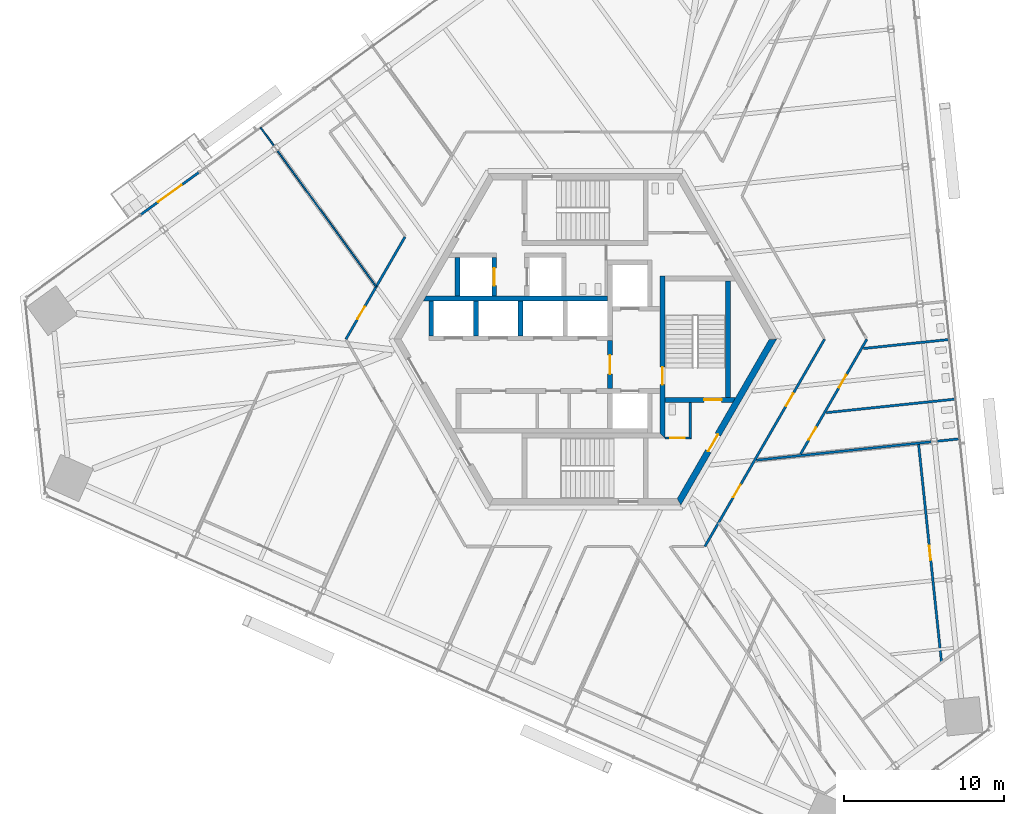
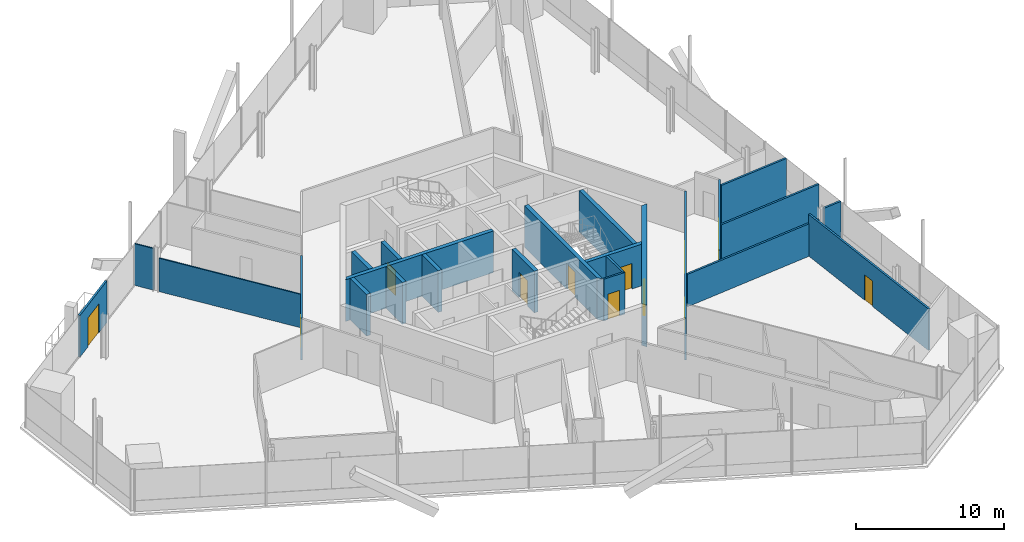
# One storey, part 12 of 21: 24 walls, 13 doors, 13 openings.
"""IFC4 building model written with IfcOpenShell, lengths in metres."""

from ifc_helpers import new_model, si_unit, direction, frame, frame_2d, origin, place, context, subcontext, project, spatial, polyline, rectangle, outline, extrude, source, transform, mapped, material, layer, layer_set, type_object, element, fill, save


model = new_model("IFC4")

# Units and contexts
model_context = context("Model", 3, precision=1e-05, world=origin(), true_north=direction((0.0, 1.0)))
body_context = subcontext(model_context, "Body", "Model", "MODEL_VIEW")
ifc_project = project(units=[si_unit("LENGTHUNIT", "METRE"), si_unit("AREAUNIT", "SQUARE_METRE"), si_unit("VOLUMEUNIT", "CUBIC_METRE"), si_unit("PLANEANGLEUNIT", "RADIAN"), si_unit("MASSUNIT", "GRAM", prefix="KILO")], contexts=[model_context])

# Site, building, storey
site_placement = place(None, origin())
site = spatial("IfcSite", under=ifc_project, at=site_placement, CompositionType="ELEMENT")
building_placement = place(site_placement, origin())
building = spatial("IfcBuilding", under=site, at=building_placement, Name="Triune Harvest Tower", CompositionType="ELEMENT")
storey_placement = place(building_placement, frame((0.0, 0.0, 80.10009765625)))
storey = spatial("IfcBuildingStorey", under=building, at=storey_placement, Name="L19", CompositionType="ELEMENT", Elevation=80.10009765625)

# Walls
ifc_material_1 = material(Name="Gypsum board on steel studs", Category="steel")
ifc_layer_1 = layer(ifc_material_1, 0.14990234375)
ifc_layer_set_1 = layer_set([ifc_layer_1], Name="Gypsum board on steel studs")
wall_type_1 = type_object("IfcWallType", Name="Fire Partition 150 mm", PredefinedType="PARTITIONING", material=ifc_layer_set_1)
wall_1_placement = place(storey_placement, frame((10.737060546875, -7.581298828125, 0.0), z_axis=(0.0, 0.0, 1.0), x_axis=(0.994522192744, 0.104525633891, 0.0)))
element("IfcWall", 1, at=wall_1_placement, inside=storey, type_object=wall_type_1, Name="Partition L19 031", PredefinedType="PARTITIONING", context=body_context, shape_type="SweptSolid", body=[
    extrude(rectangle(XDim=11.019775390625, YDim=0.14990234375, at=frame_2d((5.509765625, 0.0))), origin(), (0.0, 0.0, 1.0), 2.682861328125),
])
wall_2_placement = place(storey_placement, frame((15.112548828125, -4.602783203125, 0.0), z_axis=(0.0, 0.0, 1.0), x_axis=(0.994522020548, 0.104527272252, 0.0)))
element("IfcWall", 2, at=wall_2_placement, inside=storey, type_object=wall_type_1, Name="Partition L19 033", PredefinedType="PARTITIONING", context=body_context, shape_type="SweptSolid", body=[
    extrude(rectangle(XDim=8.149169921875, YDim=0.14990234375, at=frame_2d((4.07470703125, 0.0))), origin(), (0.0, 0.0, 1.0), 3.43994140625),
])
wall_3_placement = place(storey_placement, frame((17.434814453125, -0.580810546875, 0.0), z_axis=(0.0, 0.0, 1.0), x_axis=(0.994522719588, 0.104520621039, 0.0)))
element("IfcWall", 3, at=wall_3_placement, inside=storey, type_object=wall_type_1, Name="Partition L19 034", PredefinedType="PARTITIONING", context=body_context, shape_type="SweptSolid", body=[
    extrude(rectangle(XDim=5.419189453125, YDim=0.14990234375, at=frame_2d((2.70947265625, 0.0))), origin(), (0.0, 0.0, 1.0), 3.43994140625),
])

# Wall, openings, doors
wall_4_placement = place(storey_placement, frame((13.505126953125, -7.192626953125, 0.0), z_axis=(0.0, 0.0, 1.0), x_axis=(0.500037119149, 0.866003971973, 0.0)))
wall_4 = element("IfcWall", 4, at=wall_4_placement, inside=storey, type_object=wall_type_1, Name="Partition L19 042", PredefinedType="PARTITIONING", context=body_context, shape_type="SweptSolid", body=[
    extrude(rectangle(XDim=8.305419921875, YDim=0.14990234375, at=frame_2d((4.15283203125, 0.0))), origin(), (0.0, 0.0, 1.0), 3.43994140625),
])
opening_1_placement = place(wall_4_placement, frame((1.02978515625, 0.0, 0.0)))
opening_1 = element("IfcOpeningElement", 5, at=opening_1_placement, cuts=wall_4, Name="Opening L19-005", PredefinedType="OPENING", context=body_context, shape_type="SweptSolid", body=[
    extrude(rectangle(XDim=0.89990234375, YDim=2.10009765625, at=frame_2d((0.449951171875, 1.050048828125))), frame((0.0, 0.0849609375, 0.0), z_axis=(0.0, -1.0, 0.0), x_axis=(1.0, 0.0, 0.0)), (0.0, 0.0, 1.0), 0.169921875),
])
opening_2_placement = place(wall_4_placement, frame((4.825927734375, 0.0, 0.0)))
opening_2 = element("IfcOpeningElement", 6, at=opening_2_placement, cuts=wall_4, Name="Opening L19-006", PredefinedType="OPENING", context=body_context, shape_type="SweptSolid", body=[
    extrude(rectangle(XDim=0.89990234375, YDim=2.10009765625, at=frame_2d((0.449951171875, 1.050048828125))), frame((0.0, 0.0849609375, 0.0), z_axis=(0.0, -1.0, 0.0), x_axis=(1.0, 0.0, 0.0)), (0.0, 0.0, 1.0), 0.169921875),
])
ifc_material_2 = material(Name="Timber and steel door set", Category="steel")
door_type_1 = type_object("IfcDoorType", Name="Single leaf door FD30 left hand 900 x 2100", OperationType="SINGLE_SWING_LEFT", PredefinedType="DOOR", material=ifc_material_2)
door_1_placement = place(opening_2_placement, origin())
door_1 = element("IfcDoor", 7, at=door_1_placement, inside=storey, type_object=door_type_1, Name="Door L19-006 Men's WC 19.06", OperationType="SINGLE_SWING_LEFT", OverallHeight=2.10009765625, OverallWidth=0.89990234375, PredefinedType="DOOR", context=body_context, shape_type="SweptSolid", body=[
    extrude(rectangle(XDim=0.89990234375, YDim=2.10009765625, at=frame_2d((0.449951171875, 1.050048828125))), frame((0.0, 0.02490234375, 0.0), z_axis=(0.0, -1.0, 0.0), x_axis=(1.0, 0.0, 0.0)), (0.0, 0.0, 1.0), 0.050048828125),
])
fill(opening_2, door_1)
ifc_material_3 = material(Name="Timber and steel door set", Category="steel")
door_type_2 = type_object("IfcDoorType", Name="Single leaf door FD30 right hand 900 x 2100", OperationType="SINGLE_SWING_RIGHT", PredefinedType="DOOR", material=ifc_material_3)
door_2_placement = place(opening_1_placement, origin())
door_2 = element("IfcDoor", 8, at=door_2_placement, inside=storey, type_object=door_type_2, Name="Door L19-005 Women's WC 19.05", OperationType="SINGLE_SWING_RIGHT", OverallHeight=2.10009765625, OverallWidth=0.89990234375, PredefinedType="DOOR", context=body_context, shape_type="SweptSolid", body=[
    extrude(rectangle(XDim=0.89990234375, YDim=2.10009765625, at=frame_2d((0.449951171875, 1.050048828125))), frame((0.0, 0.02490234375, 0.0), z_axis=(0.0, -1.0, 0.0), x_axis=(1.0, 0.0, 0.0)), (0.0, 0.0, 1.0), 0.050048828125),
])
fill(opening_1, door_2)

# Wall
ifc_material_4 = material(Name="Gypsum board on steel studs", Category="steel")
ifc_layer_2 = layer(ifc_material_4, 0.10009765625)
ifc_layer_set_2 = layer_set([ifc_layer_2], Name="Gypsum board on steel studs")
wall_type_2 = type_object("IfcWallType", Name="Partition 100 mm", PredefinedType="PARTITIONING", material=ifc_layer_set_2)
wall_5_placement = place(storey_placement, frame((-19.2958984375, 11.821533203125, 0.0), z_axis=(0.0, 0.0, 1.0), x_axis=(0.587790142601, -0.809013441335, 0.0)))
element("IfcWall", 9, at=wall_5_placement, inside=storey, type_object=wall_type_2, Name="Partition L19 010", PredefinedType="PARTITIONING", context=body_context, shape_type="SweptSolid", body=[
    extrude(rectangle(XDim=10.54052734375, YDim=0.10009765625, at=frame_2d((5.270263671875, 0.0))), origin(), (0.0, 0.0, 1.0), 2.756591796875),
])

# Wall, opening, door
ifc_material_5 = material(Name="Concrete 70 MPa", Category="concrete")
ifc_layer_3 = layer(ifc_material_5, 0.39990234375)
ifc_layer_set_3 = layer_set([ifc_layer_3], Name="Concrete 70 MPa")
wall_type_3 = type_object("IfcWallType", Name="Core wall 400", PredefinedType="SHEAR", material=ifc_layer_set_3)
shared_shape_1 = source(origin(), body_context, "Body", "SweptSolid", [
    extrude(outline(polyline([(-0.115478515625, -0.199951171875), (11.884521484375, -0.199951171875), (11.653564453125, 0.199951171875), (0.115478515625, 0.199951171875), (-0.115478515625, -0.199951171875)])), origin(), (0.0, 0.0, 1.0), 3.43994140625),
])
wall_6_placement = place(storey_placement, frame((5.884521484375, -10.1923828125, 0.0), z_axis=(0.0, 0.0, 1.0), x_axis=(0.499996592174, 0.866027371285, 0.0)))
wall_6 = element("IfcWall", 10, at=wall_6_placement, inside=storey, type_object=wall_type_3, Name="Hexagon 5 wall", PredefinedType="SHEAR", context=body_context, shape_type="MappedRepresentation", body=[
    mapped(shared_shape_1, transform((0.0, 0.0, 0.0), scale=1.0)),
])
opening_3_placement = place(wall_6_placement, frame((3.66455078125, 0.0, 0.0)))
opening_3 = element("IfcOpeningElement", 11, at=opening_3_placement, cuts=wall_6, Name="Opening CD-DP", PredefinedType="OPENING", context=body_context, shape_type="SweptSolid", body=[
    extrude(rectangle(XDim=1.199951171875, YDim=2.10009765625, at=frame_2d((0.60009765625, 1.050048828125))), frame((0.0, 0.2099609375, 0.0), z_axis=(0.0, -1.0, 0.0), x_axis=(1.0, 0.0, 0.0)), (0.0, 0.0, 1.0), 0.419921875),
])
ifc_material_6 = material(Name="Steel S235", Category="steel")
door_type_3 = type_object("IfcDoorType", Name="Stair door 1200 FD120", OperationType="SINGLE_SWING_LEFT", PredefinedType="DOOR", material=ifc_material_6)
door_3_placement = place(opening_3_placement, frame((1.199951171875, 0.0, 0.0), z_axis=(0.0, 0.0, 1.0), x_axis=(-1.0, 0.0, 0.0)))
door_3 = element("IfcDoor", 12, at=door_3_placement, inside=storey, type_object=door_type_3, Name="Door CD-DP", OperationType="SINGLE_SWING_RIGHT", OverallHeight=2.10009765625, OverallWidth=1.199951171875, PredefinedType="DOOR", context=body_context, shape_type="SweptSolid", body=[
    extrude(rectangle(XDim=1.199951171875, YDim=2.10009765625, at=frame_2d((0.60009765625, 1.050048828125))), frame((0.0, 0.02490234375, 0.0), z_axis=(0.0, -1.0, 0.0), x_axis=(1.0, 0.0, 0.0)), (0.0, 0.0, 1.0), 0.050048828125),
])
fill(opening_3, door_3)

# Wall
ifc_material_7 = material(Name="Concrete 70 MPa", Category="concrete")
ifc_layer_4 = layer(ifc_material_7, 0.300048828125)
ifc_layer_set_4 = layer_set([ifc_layer_4], Name="Concrete 70 MPa")
wall_type_4 = type_object("IfcWallType", Name="Core wall 300", PredefinedType="SHEAR", material=ifc_layer_set_4)
shared_shape_2 = source(origin(), body_context, "Body", "SweptSolid", [
    extrude(outline(polyline([(11.199951171875, -0.14990234375), (-0.34912109375, -0.14990234375), (-0.17578125, 0.14990234375), (11.199951171875, 0.14990234375), (11.199951171875, -0.14990234375)])), origin(), (0.0, 0.0, 1.0), 3.43994140625),
])
wall_7_placement = place(storey_placement, frame((-9.800048828125, 2.56005859375, 0.0), z_axis=(0.0, 0.0, 1.0), x_axis=(1.0, 0.0, 0.0)))
element("IfcWall", 13, at=wall_7_placement, inside=storey, type_object=wall_type_4, Name="North back wall", PredefinedType="SHEAR", context=body_context, shape_type="MappedRepresentation", body=[
    mapped(shared_shape_2, transform((0.0, 0.0, 0.0), scale=1.0)),
])

# Wall, opening, door
shared_shape_3 = source(origin(), body_context, "Body", "SweptSolid", [
    extrude(rectangle(XDim=3.0, YDim=0.300048828125, at=frame_2d((1.5, 0.0))), origin(), (0.0, 0.0, 1.0), 3.43994140625),
])
wall_8_placement = place(storey_placement, frame((1.550048828125, -3.090087890625, 0.0), z_axis=(0.0, 0.0, 1.0), x_axis=(0.0, 1.0, 0.0)))
wall_8 = element("IfcWall", 14, at=wall_8_placement, inside=storey, type_object=wall_type_4, Name="Ff lobby west wall", PredefinedType="SHEAR", context=body_context, shape_type="MappedRepresentation", body=[
    mapped(shared_shape_3, transform((0.0, 0.0, 0.0), scale=1.0)),
])
opening_4_placement = place(wall_8_placement, frame((0.89990234375, 0.0, 0.0)))
opening_4 = element("IfcOpeningElement", 15, at=opening_4_placement, cuts=wall_8, Name="Opening CD-FL", PredefinedType="OPENING", context=body_context, shape_type="SweptSolid", body=[
    extrude(rectangle(XDim=1.199951171875, YDim=2.10009765625, at=frame_2d((0.60009765625, 1.050048828125))), frame((0.0, 0.16015625, 0.0), z_axis=(0.0, -1.0, 0.0), x_axis=(1.0, 0.0, 0.0)), (0.0, 0.0, 1.0), 0.320068359375),
])
ifc_material_8 = material(Name="Steel S235", Category="steel")
door_type_4 = type_object("IfcDoorType", Name="Firefighters' lobby door 1200 FD120", OperationType="SINGLE_SWING_LEFT", PredefinedType="DOOR", material=ifc_material_8)
door_4_placement = place(opening_4_placement, frame((1.199951171875, 0.0, 0.0), z_axis=(0.0, 0.0, 1.0), x_axis=(-1.0, 0.0, 0.0)))
door_4 = element("IfcDoor", 16, at=door_4_placement, inside=storey, type_object=door_type_4, Name="Door CD-FL", OperationType="SINGLE_SWING_RIGHT", OverallHeight=2.10009765625, OverallWidth=1.199951171875, PredefinedType="DOOR", context=body_context, shape_type="SweptSolid", body=[
    extrude(rectangle(XDim=1.199951171875, YDim=2.10009765625, at=frame_2d((0.60009765625, 1.050048828125))), frame((0.0, 0.02490234375, 0.0), z_axis=(0.0, -1.0, 0.0), x_axis=(1.0, 0.0, 0.0)), (0.0, 0.0, 1.0), 0.050048828125),
])
fill(opening_4, door_4)

# Walls
shared_shape_4 = source(origin(), body_context, "Body", "SweptSolid", [
    extrude(rectangle(XDim=2.199951171875, YDim=0.300048828125, at=frame_2d((1.10009765625, 0.0))), origin(), (0.0, 0.0, 1.0), 3.43994140625),
])
for number, where, z_axis, x_axis, name in (
    (17, (-9.64990234375, 0.2099609375, 0.0), (0.0, 0.0, 1.0), (0.0, 1.0, 0.0), "North end west wall"),
    (18, (-6.85009765625, 0.2099609375, 0.0), (0.0, 0.0, 1.0), (0.0, 1.0, 0.0), "North cross 1 wall"),
    (19, (-4.050048828125, 0.2099609375, 0.0), (0.0, 0.0, 1.0), (0.0, 1.0, 0.0), "North cross 2 wall"),
):
    element("IfcWall", number, at=place(storey_placement, frame(where, z_axis=z_axis, x_axis=x_axis)), inside=storey, type_object=wall_type_4, Name=name, PredefinedType="SHEAR", context=body_context, shape_type="MappedRepresentation", body=[
        mapped(shared_shape_4, transform((0.0, 0.0, 0.0), scale=1.0)),
    ])

# Wall, opening, door
shared_shape_5 = source(origin(), body_context, "Body", "SweptSolid", [
    extrude(outline(polyline([(-0.14990234375, -0.14990234375), (9.989990234375, -0.14990234375), (9.989990234375, 0.14990234375), (0.14990234375, 0.14990234375), (-0.14990234375, -0.14990234375)])), origin(), (0.0, 0.0, 1.0), 3.43994140625),
])
wall_9_placement = place(storey_placement, frame((4.85009765625, -6.0400390625, 0.0), z_axis=(0.0, 0.0, 1.0), x_axis=(0.0, 1.0, 0.0)))
wall_9 = element("IfcWall", 20, at=wall_9_placement, inside=storey, type_object=wall_type_4, Name="Stair e west wall", PredefinedType="SHEAR", context=body_context, shape_type="MappedRepresentation", body=[
    mapped(shared_shape_5, transform((0.0, 0.0, 0.0), scale=1.0)),
])
opening_5_placement = place(wall_9_placement, frame((3.18994140625, 0.0, 0.0)))
opening_5 = element("IfcOpeningElement", 21, at=opening_5_placement, cuts=wall_9, Name="Opening CD-S3L", PredefinedType="OPENING", context=body_context, shape_type="SweptSolid", body=[
    extrude(rectangle(XDim=1.10009765625, YDim=2.10009765625, at=frame_2d((0.550048828125, 1.050048828125))), frame((0.0, 0.16015625, 0.0), z_axis=(0.0, -1.0, 0.0), x_axis=(1.0, 0.0, 0.0)), (0.0, 0.0, 1.0), 0.320068359375),
])
ifc_material_9 = material(Name="Steel S235", Category="steel")
door_type_5 = type_object("IfcDoorType", Name="Stair door 1100 FD120", OperationType="SINGLE_SWING_LEFT", PredefinedType="DOOR", material=ifc_material_9)
door_5_placement = place(opening_5_placement, frame((1.10009765625, 0.0, 0.0), z_axis=(0.0, 0.0, 1.0), x_axis=(-1.0, 0.0, 0.0)))
door_5 = element("IfcDoor", 22, at=door_5_placement, inside=storey, type_object=door_type_5, Name="Door CD-S3L", OperationType="SINGLE_SWING_RIGHT", OverallHeight=2.10009765625, OverallWidth=1.10009765625, PredefinedType="DOOR", context=body_context, shape_type="SweptSolid", body=[
    extrude(rectangle(XDim=1.10009765625, YDim=2.10009765625, at=frame_2d((0.550048828125, 1.050048828125))), frame((0.0, 0.02490234375, 0.0), z_axis=(0.0, -1.0, 0.0), x_axis=(1.0, 0.0, 0.0)), (0.0, 0.0, 1.0), 0.050048828125),
])
fill(opening_5, door_5)

shared_shape_6 = source(origin(), body_context, "Body", "SweptSolid", [
    extrude(outline(polyline([(0.0, -0.14990234375), (0.0, 0.14990234375), (4.43310546875, 0.14990234375), (4.260009765625, -0.14990234375), (0.0, -0.14990234375)])), origin(), (0.0, 0.0, 1.0), 3.43994140625),
])
wall_10_placement = place(storey_placement, frame((5.0, -3.800048828125, 0.0), z_axis=(0.0, 0.0, 1.0), x_axis=(1.0, 0.0, 0.0)))
wall_10 = element("IfcWall", 23, at=wall_10_placement, inside=storey, type_object=wall_type_4, Name="Stair e south wall", PredefinedType="SHEAR", context=body_context, shape_type="MappedRepresentation", body=[
    mapped(shared_shape_6, transform((0.0, 0.0, 0.0), scale=1.0)),
])
opening_6_placement = place(wall_10_placement, frame((2.449951171875, 0.0, 0.0)))
opening_6 = element("IfcOpeningElement", 24, at=opening_6_placement, cuts=wall_10, Name="Opening CD-S3D", PredefinedType="OPENING", context=body_context, shape_type="SweptSolid", body=[
    extrude(rectangle(XDim=1.10009765625, YDim=2.10009765625, at=frame_2d((0.550048828125, 1.050048828125))), frame((0.0, 0.16015625, 0.0), z_axis=(0.0, -1.0, 0.0), x_axis=(1.0, 0.0, 0.0)), (0.0, 0.0, 1.0), 0.320068359375),
])
door_6_placement = place(opening_6_placement, frame((1.10009765625, 0.0, 0.0), z_axis=(0.0, 0.0, 1.0), x_axis=(-1.0, 0.0, 0.0)))
door_6 = element("IfcDoor", 25, at=door_6_placement, inside=storey, type_object=door_type_5, Name="Door CD-S3D", OperationType="SINGLE_SWING_RIGHT", OverallHeight=2.10009765625, OverallWidth=1.10009765625, PredefinedType="DOOR", context=body_context, shape_type="SweptSolid", body=[
    extrude(rectangle(XDim=1.10009765625, YDim=2.10009765625, at=frame_2d((0.550048828125, 1.050048828125))), frame((0.0, 0.02490234375, 0.0), z_axis=(0.0, -1.0, 0.0), x_axis=(1.0, 0.0, 0.0)), (0.0, 0.0, 1.0), 0.050048828125),
])
fill(opening_6, door_6)

# Walls
shared_shape_7 = source(origin(), body_context, "Body", "SweptSolid", [
    extrude(rectangle(XDim=7.2998046875, YDim=0.300048828125, at=frame_2d((3.64990234375, 0.0))), origin(), (0.0, 0.0, 1.0), 3.43994140625),
])
wall_11_placement = place(storey_placement, frame((8.949951171875, -3.64990234375, 0.0), z_axis=(0.0, 0.0, 1.0), x_axis=(0.0, 1.0, 0.0)))
element("IfcWall", 26, at=wall_11_placement, inside=storey, type_object=wall_type_4, Name="Stair e east wall", PredefinedType="SHEAR", context=body_context, shape_type="MappedRepresentation", body=[
    mapped(shared_shape_7, transform((0.0, 0.0, 0.0), scale=1.0)),
])
shared_shape_8 = source(origin(), body_context, "Body", "SweptSolid", [
    extrude(rectangle(XDim=2.400146484375, YDim=0.300048828125, at=frame_2d((1.2001953125, 0.0))), origin(), (0.0, 0.0, 1.0), 3.43994140625),
])
wall_12_placement = place(storey_placement, frame((-8.0, 2.7099609375, 0.0), z_axis=(0.0, 0.0, 1.0), x_axis=(0.0, 1.0, 0.0)))
element("IfcWall", 27, at=wall_12_placement, inside=storey, type_object=wall_type_4, Name="Sv1 west wall", PredefinedType="SHEAR", context=body_context, shape_type="MappedRepresentation", body=[
    mapped(shared_shape_8, transform((0.0, 0.0, 0.0), scale=1.0)),
])

# Wall, opening, door
wall_13_placement = place(storey_placement, frame((-5.699951171875, 2.7099609375, 0.0), z_axis=(0.0, 0.0, 1.0), x_axis=(0.0, 1.0, 0.0)))
wall_13 = element("IfcWall", 28, at=wall_13_placement, inside=storey, type_object=wall_type_4, Name="Sv1 east wall", PredefinedType="SHEAR", context=body_context, shape_type="MappedRepresentation", body=[
    mapped(shared_shape_8, transform((0.0, 0.0, 0.0), scale=1.0)),
])
opening_7_placement = place(wall_13_placement, frame((0.64990234375, 0.0, 0.0)))
opening_7 = element("IfcOpeningElement", 29, at=opening_7_placement, cuts=wall_13, Name="Opening LD-SV1-19", PredefinedType="OPENING", context=body_context, shape_type="SweptSolid", body=[
    extrude(rectangle(XDim=1.10009765625, YDim=2.10009765625, at=frame_2d((0.550048828125, 1.050048828125))), frame((0.0, 0.16015625, 0.0), z_axis=(0.0, -1.0, 0.0), x_axis=(1.0, 0.0, 0.0)), (0.0, 0.0, 1.0), 0.320068359375),
])
ifc_material_10 = material(Name="Stainless steel AISI 304", Category="steel")
door_type_6 = type_object("IfcDoorType", Name="Landing door 1100 x 2100", OperationType="DOUBLE_DOOR_SLIDING", PredefinedType="DOOR", material=ifc_material_10)
door_7_placement = place(opening_7_placement, origin())
door_7 = element("IfcDoor", 30, at=door_7_placement, inside=storey, type_object=door_type_6, Name="Door LD-SV1-19", OperationType="DOUBLE_DOOR_SLIDING", OverallHeight=2.10009765625, OverallWidth=1.10009765625, PredefinedType="DOOR", context=body_context, shape_type="SweptSolid", body=[
    extrude(rectangle(XDim=1.10009765625, YDim=2.10009765625, at=frame_2d((0.550048828125, 1.050048828125))), frame((0.0, 0.02490234375, 0.0), z_axis=(0.0, -1.0, 0.0), x_axis=(1.0, 0.0, 0.0)), (0.0, 0.0, 1.0), 0.050048828125),
])
fill(opening_7, door_7)

ifc_material_11 = material(Name="Concrete masonry unit", Category="masonry")
ifc_layer_5 = layer(ifc_material_11, 0.14990234375)
ifc_layer_set_5 = layer_set([ifc_layer_5], Name="Concrete masonry unit")
wall_type_5 = type_object("IfcWallType", Name="Block partition 150 unrated", PredefinedType="PARTITIONING", material=ifc_layer_set_5)
shared_shape_9 = source(origin(), body_context, "Body", "SweptSolid", [
    extrude(outline(polyline([(0.0, -0.074951171875), (1.64990234375, -0.074951171875), (1.5, 0.074951171875), (0.0, 0.074951171875), (0.0, -0.074951171875)])), origin(), (0.0, 0.0, 1.0), 3.43994140625),
])
wall_14_placement = place(storey_placement, frame((5.0, -6.18994140625, 0.0), z_axis=(0.0, 0.0, 1.0), x_axis=(1.0, 0.0, 0.0)))
wall_14 = element("IfcWall", 31, at=wall_14_placement, inside=storey, type_object=wall_type_5, Name="Wc acc south wall", PredefinedType="PARTITIONING", context=body_context, shape_type="MappedRepresentation", body=[
    mapped(shared_shape_9, transform((0.0, 0.0, 0.0), scale=1.0)),
])
opening_8_placement = place(wall_14_placement, frame((0.33740234375, 0.0, 0.0)))
opening_8 = element("IfcOpeningElement", 32, at=opening_8_placement, cuts=wall_14, Name="Opening CD-WA", PredefinedType="OPENING", context=body_context, shape_type="SweptSolid", body=[
    extrude(rectangle(XDim=0.89990234375, YDim=2.10009765625, at=frame_2d((0.449951171875, 1.050048828125))), frame((0.0, 0.0849609375, 0.0), z_axis=(0.0, -1.0, 0.0), x_axis=(1.0, 0.0, 0.0)), (0.0, 0.0, 1.0), 0.169921875),
])
ifc_material_12 = material(Name="Timber C24", Category="wood")
door_type_7 = type_object("IfcDoorType", Name="WC door 900", OperationType="SINGLE_SWING_LEFT", PredefinedType="DOOR", material=ifc_material_12)
door_8_placement = place(opening_8_placement, origin())
door_8 = element("IfcDoor", 33, at=door_8_placement, inside=storey, type_object=door_type_7, Name="Door CD-WA", OperationType="SINGLE_SWING_LEFT", OverallHeight=2.10009765625, OverallWidth=0.89990234375, PredefinedType="DOOR", context=body_context, shape_type="SweptSolid", body=[
    extrude(rectangle(XDim=0.89990234375, YDim=2.10009765625, at=frame_2d((0.449951171875, 1.050048828125))), frame((0.0, 0.02490234375, 0.0), z_axis=(0.0, -1.0, 0.0), x_axis=(1.0, 0.0, 0.0)), (0.0, 0.0, 1.0), 0.050048828125),
])
fill(opening_8, door_8)

# Wall
shared_shape_10 = source(origin(), body_context, "Body", "SweptSolid", [
    extrude(outline(polyline([(-0.074951171875, -0.074951171875), (2.239990234375, -0.074951171875), (2.239990234375, 0.074951171875), (0.074951171875, 0.074951171875), (-0.074951171875, -0.074951171875)])), origin(), (0.0, 0.0, 1.0), 3.43994140625),
])
wall_15_placement = place(storey_placement, frame((6.574951171875, -6.18994140625, 0.0), z_axis=(0.0, 0.0, 1.0), x_axis=(0.0, 1.0, 0.0)))
element("IfcWall", 34, at=wall_15_placement, inside=storey, type_object=wall_type_5, Name="Wc acc east wall", PredefinedType="PARTITIONING", context=body_context, shape_type="MappedRepresentation", body=[
    mapped(shared_shape_10, transform((0.0, 0.0, 0.0), scale=1.0)),
])

# Wall, opening, door
ifc_material_13 = material(Name="Aluminium bronze anodised", Category="aluminium")
ifc_layer_6 = layer(ifc_material_13, 0.14990234375)
ifc_layer_set_6 = layer_set([ifc_layer_6], Name="Aluminium bronze anodised")
wall_type_6 = type_object("IfcWallType", Name="WW-2 balcony window wall", PredefinedType="ELEMENTEDWALL", material=ifc_layer_set_6)
shared_shape_11 = source(origin(), body_context, "Body", "SweptSolid", [
    extrude(rectangle(XDim=4.485595703125, YDim=0.14990234375, at=frame_2d((2.24267578125, 0.0))), origin(), (0.0, 0.0, 1.0), 3.43994140625),
])
wall_16_placement = place(storey_placement, frame((-27.85693359375, 7.816650390625, 0.0), z_axis=(0.0, 0.0, 1.0), x_axis=(0.8089996052, 0.587809185694, 0.0)))
wall_16 = element("IfcWall", 35, at=wall_16_placement, inside=storey, type_object=wall_type_6, Name="WW-2 B2-F3 L19.10", PredefinedType="ELEMENTEDWALL", context=body_context, shape_type="MappedRepresentation", body=[
    mapped(shared_shape_11, transform((0.0, 0.0, 0.0), scale=1.0)),
])
opening_9_placement = place(wall_16_placement, frame((1.3427734375, 0.0, 0.0)))
opening_9 = element("IfcOpeningElement", 36, at=opening_9_placement, cuts=wall_16, Name="Opening L19-E01", PredefinedType="OPENING", context=body_context, shape_type="SweptSolid", body=[
    extrude(rectangle(XDim=1.800048828125, YDim=2.39990234375, at=frame_2d((0.89990234375, 1.199951171875))), frame((0.0, 0.0849609375, 0.0), z_axis=(0.0, -1.0, 0.0), x_axis=(1.0, 0.0, 0.0)), (0.0, 0.0, 1.0), 0.169921875),
])
ifc_material_14 = material(Name="Glass", Category="glass")
door_type_8 = type_object("IfcDoorType", Name="DB-1 balcony door 1800 x 2400", OperationType="DOUBLE_DOOR_SINGLE_SWING", PredefinedType="DOOR", material=ifc_material_14)
door_9_placement = place(opening_9_placement, origin())
door_9 = element("IfcDoor", 37, at=door_9_placement, inside=storey, type_object=door_type_8, Name="Door L19-E01", OperationType="DOUBLE_DOOR_SINGLE_SWING", OverallHeight=2.39990234375, OverallWidth=1.800048828125, PredefinedType="DOOR", context=body_context, shape_type="SweptSolid", body=[
    extrude(rectangle(XDim=1.800048828125, YDim=2.39990234375, at=frame_2d((0.89990234375, 1.199951171875))), frame((0.0, 0.02490234375, 0.0), z_axis=(0.0, -1.0, 0.0), x_axis=(1.0, 0.0, 0.0)), (0.0, 0.0, 1.0), 0.050048828125),
])
fill(opening_9, door_9)

# Wall
shared_shape_12 = source(origin(), body_context, "Body", "SweptSolid", [
    extrude(rectangle(XDim=1.41845703125, YDim=0.10009765625, at=frame_2d((0.709228515625, 0.0))), origin(), (0.0, 0.0, 1.0), 3.43994140625),
])
wall_17_placement = place(storey_placement, frame((-20.349365234375, 13.271484375, 0.0), z_axis=(0.0, 0.0, 1.0), x_axis=(0.587731585227, -0.809055983061, 0.0)))
element("IfcWall", 38, at=wall_17_placement, inside=storey, type_object=wall_type_2, Name="Partition L19 009", PredefinedType="PARTITIONING", context=body_context, shape_type="MappedRepresentation", body=[
    mapped(shared_shape_12, transform((0.0, 0.0, 0.0), scale=1.0)),
])

# Wall, opening, door
shared_shape_13 = source(origin(), body_context, "Body", "SweptSolid", [
    extrude(rectangle(XDim=13.81494140625, YDim=0.14990234375, at=frame_2d((6.907470703125, 0.0))), origin(), (0.0, 0.0, 1.0), 3.43994140625),
])
wall_18_placement = place(storey_placement, frame((20.89306640625, -6.513916015625, 0.0), z_axis=(0.0, 0.0, 1.0), x_axis=(0.104531156035, -0.994521612343, 0.0)))
wall_18 = element("IfcWall", 39, at=wall_18_placement, inside=storey, type_object=wall_type_1, Name="Partition L19 003", PredefinedType="PARTITIONING", context=body_context, shape_type="MappedRepresentation", body=[
    mapped(shared_shape_13, transform((0.0, 0.0, 0.0), scale=1.0)),
])
opening_10_placement = place(wall_18_placement, frame((6.46484375, 0.0, 0.0)))
opening_10 = element("IfcOpeningElement", 40, at=opening_10_placement, cuts=wall_18, Name="Opening L19-003", PredefinedType="OPENING", context=body_context, shape_type="SweptSolid", body=[
    extrude(rectangle(XDim=0.89990234375, YDim=2.10009765625, at=frame_2d((0.449951171875, 1.050048828125))), frame((0.0, 0.0849609375, 0.0), z_axis=(0.0, -1.0, 0.0), x_axis=(1.0, 0.0, 0.0)), (0.0, 0.0, 1.0), 0.169921875),
])
door_10_placement = place(opening_10_placement, origin())
door_10 = element("IfcDoor", 41, at=door_10_placement, inside=storey, type_object=door_type_2, Name="Door L19-003 Dry Store Room 19.03", OperationType="SINGLE_SWING_RIGHT", OverallHeight=2.10009765625, OverallWidth=0.89990234375, PredefinedType="DOOR", context=body_context, shape_type="SweptSolid", body=[
    extrude(rectangle(XDim=0.89990234375, YDim=2.10009765625, at=frame_2d((0.449951171875, 1.050048828125))), frame((0.0, 0.02490234375, 0.0), z_axis=(0.0, -1.0, 0.0), x_axis=(1.0, 0.0, 0.0)), (0.0, 0.0, 1.0), 0.050048828125),
])
fill(opening_10, door_10)

# Wall
shared_shape_14 = source(origin(), body_context, "Body", "SweptSolid", [
    extrude(rectangle(XDim=1.418701171875, YDim=0.14990234375, at=frame_2d((0.70947265625, 0.0))), origin(), (0.0, 0.0, 1.0), 3.43994140625),
])
wall_19_placement = place(storey_placement, frame((22.068115234375, -6.390380859375, 0.0), z_axis=(0.0, 0.0, 1.0), x_axis=(0.994529002172, 0.104460824419, 0.0)))
element("IfcWall", 42, at=wall_19_placement, inside=storey, type_object=wall_type_1, Name="Partition L19 032", PredefinedType="PARTITIONING", context=body_context, shape_type="MappedRepresentation", body=[
    mapped(shared_shape_14, transform((0.0, 0.0, 0.0), scale=1.0)),
])

# Wall, openings, doors
shared_shape_15 = source(origin(), body_context, "Body", "SweptSolid", [
    extrude(rectangle(XDim=15.001953125, YDim=0.14990234375, at=frame_2d((7.5009765625, 0.0))), origin(), (0.0, 0.0, 1.0), 3.43994140625),
])
wall_20_placement = place(storey_placement, frame((7.501220703125, -12.9921875, 0.0), z_axis=(0.0, 0.0, 1.0), x_axis=(0.499996681051, 0.866027319972, 0.0)))
wall_20 = element("IfcWall", 43, at=wall_20_placement, inside=storey, type_object=wall_type_1, Name="Partition L19 043", PredefinedType="PARTITIONING", context=body_context, shape_type="MappedRepresentation", body=[
    mapped(shared_shape_15, transform((0.0, 0.0, 0.0), scale=1.0)),
])
opening_11_placement = place(wall_20_placement, frame((3.566650390625, 0.0, 0.0)))
opening_11 = element("IfcOpeningElement", 44, at=opening_11_placement, cuts=wall_20, Name="Opening L19-001", PredefinedType="OPENING", context=body_context, shape_type="SweptSolid", body=[
    extrude(rectangle(XDim=0.89990234375, YDim=2.10009765625, at=frame_2d((0.449951171875, 1.050048828125))), frame((0.0, 0.0849609375, 0.0), z_axis=(0.0, -1.0, 0.0), x_axis=(1.0, 0.0, 0.0)), (0.0, 0.0, 1.0), 0.169921875),
])
opening_12_placement = place(wall_20_placement, frame((10.18359375, 0.0, 0.0)))
opening_12 = element("IfcOpeningElement", 45, at=opening_12_placement, cuts=wall_20, Name="Opening L19-004", PredefinedType="OPENING", context=body_context, shape_type="SweptSolid", body=[
    extrude(rectangle(XDim=0.89990234375, YDim=2.10009765625, at=frame_2d((0.449951171875, 1.050048828125))), frame((0.0, 0.0849609375, 0.0), z_axis=(0.0, -1.0, 0.0), x_axis=(1.0, 0.0, 0.0)), (0.0, 0.0, 1.0), 0.169921875),
])
door_11_placement = place(opening_12_placement, origin())
door_11 = element("IfcDoor", 46, at=door_11_placement, inside=storey, type_object=door_type_1, Name="Door L19-004 WC lobby 19.04", OperationType="SINGLE_SWING_LEFT", OverallHeight=2.10009765625, OverallWidth=0.89990234375, PredefinedType="DOOR", context=body_context, shape_type="SweptSolid", body=[
    extrude(rectangle(XDim=0.89990234375, YDim=2.10009765625, at=frame_2d((0.449951171875, 1.050048828125))), frame((0.0, 0.02490234375, 0.0), z_axis=(0.0, -1.0, 0.0), x_axis=(1.0, 0.0, 0.0)), (0.0, 0.0, 1.0), 0.050048828125),
])
fill(opening_12, door_11)
door_12_placement = place(opening_11_placement, origin())
door_12 = element("IfcDoor", 47, at=door_12_placement, inside=storey, type_object=door_type_2, Name="Door L19-001 Tasting Room 19.01", OperationType="SINGLE_SWING_RIGHT", OverallHeight=2.10009765625, OverallWidth=0.89990234375, PredefinedType="DOOR", context=body_context, shape_type="SweptSolid", body=[
    extrude(rectangle(XDim=0.89990234375, YDim=2.10009765625, at=frame_2d((0.449951171875, 1.050048828125))), frame((0.0, 0.02490234375, 0.0), z_axis=(0.0, -1.0, 0.0), x_axis=(1.0, 0.0, 0.0)), (0.0, 0.0, 1.0), 0.050048828125),
])
fill(opening_11, door_12)

# Wall, opening, door
shared_shape_16 = source(origin(), body_context, "Body", "SweptSolid", [
    extrude(rectangle(XDim=7.400146484375, YDim=0.14990234375, at=frame_2d((3.7001953125, 0.0))), origin(), (0.0, 0.0, 1.0), 3.43994140625),
])
wall_21_placement = place(storey_placement, frame((-15.002197265625, -0.000244140625, 0.0), z_axis=(0.0, 0.0, 1.0), x_axis=(0.500013743233, 0.86601746898, 0.0)))
wall_21 = element("IfcWall", 48, at=wall_21_placement, inside=storey, type_object=wall_type_1, Name="Partition L19 044", PredefinedType="PARTITIONING", context=body_context, shape_type="MappedRepresentation", body=[
    mapped(shared_shape_16, transform((0.0, 0.0, 0.0), scale=1.0)),
])
opening_13_placement = place(wall_21_placement, frame((1.453857421875, 0.0, 0.0)))
opening_13 = element("IfcOpeningElement", 49, at=opening_13_placement, cuts=wall_21, Name="Opening L19-014", PredefinedType="OPENING", context=body_context, shape_type="SweptSolid", body=[
    extrude(rectangle(XDim=0.89990234375, YDim=2.10009765625, at=frame_2d((0.449951171875, 1.050048828125))), frame((0.0, 0.0849609375, 0.0), z_axis=(0.0, -1.0, 0.0), x_axis=(1.0, 0.0, 0.0)), (0.0, 0.0, 1.0), 0.169921875),
])
door_13_placement = place(opening_13_placement, origin())
door_13 = element("IfcDoor", 50, at=door_13_placement, inside=storey, type_object=door_type_1, Name="Door L19-014 Office 19.14", OperationType="SINGLE_SWING_LEFT", OverallHeight=2.10009765625, OverallWidth=0.89990234375, PredefinedType="DOOR", context=body_context, shape_type="SweptSolid", body=[
    extrude(rectangle(XDim=0.89990234375, YDim=2.10009765625, at=frame_2d((0.449951171875, 1.050048828125))), frame((0.0, 0.02490234375, 0.0), z_axis=(0.0, -1.0, 0.0), x_axis=(1.0, 0.0, 0.0)), (0.0, 0.0, 1.0), 0.050048828125),
])
fill(opening_13, door_13)

save(model, "model.ifc")
